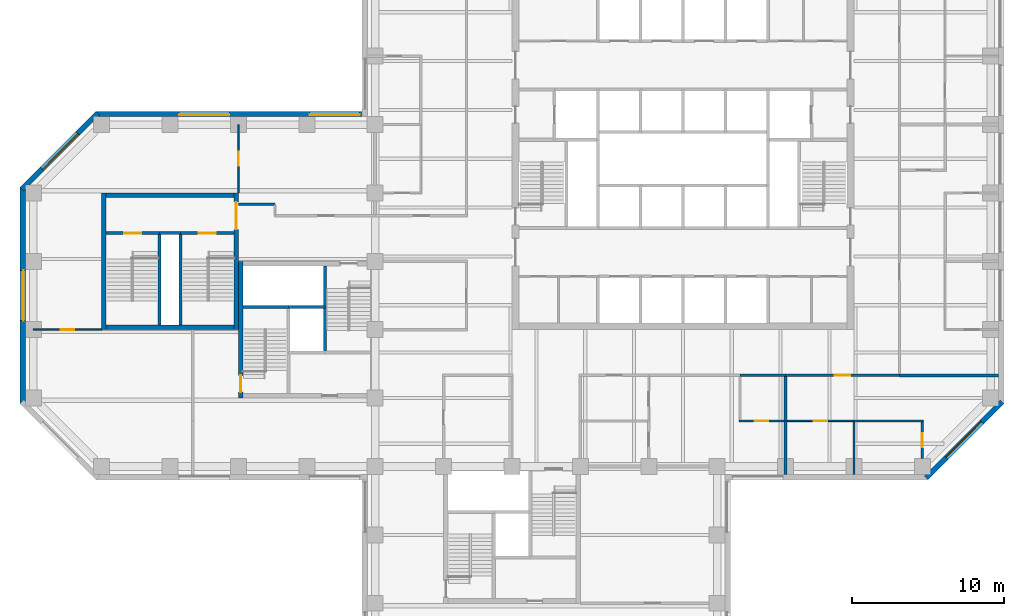
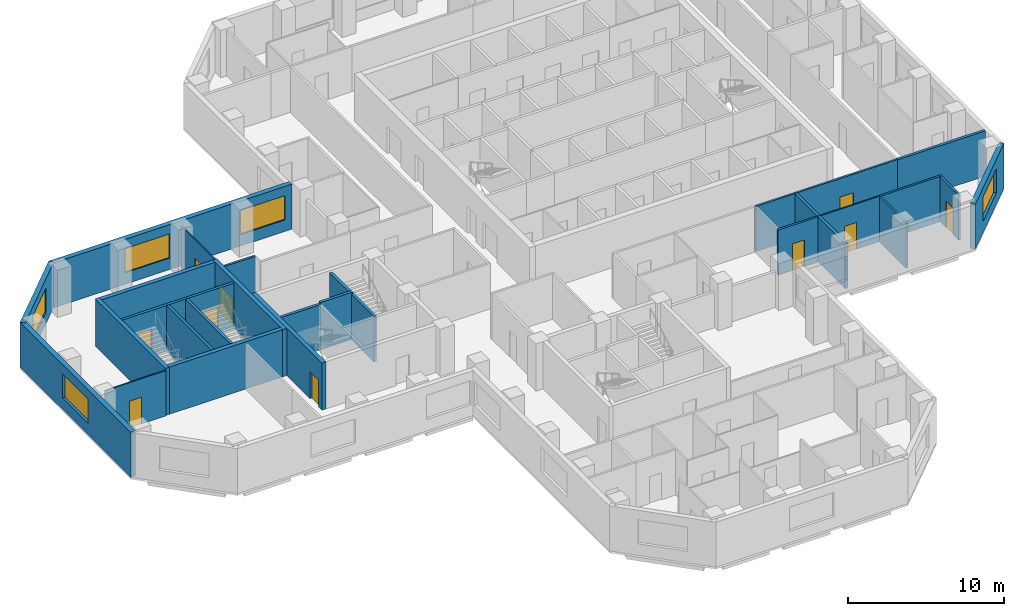
# One storey, part 5 of 11: 30 walls, 10 doors, 5 windows, 15 openings.
"""IFC4 building model written with IfcOpenShell, lengths in metres."""

from ifc_helpers import new_model, si_unit, direction, frame, frame_2d, origin, place, context, subcontext, project, spatial, rectangle, extrude, material, layer, layer_set, constituent, constituent_set, type_object, element, fill, save


model = new_model("IFC4")

# Units and contexts
model_context = context("Model", 3, precision=1e-05, world=origin(), true_north=direction((0.0, 1.0)))
body_context = subcontext(model_context, "Body", "Model", "MODEL_VIEW")
ifc_project = project(units=[si_unit("LENGTHUNIT", "METRE"), si_unit("AREAUNIT", "SQUARE_METRE"), si_unit("VOLUMEUNIT", "CUBIC_METRE"), si_unit("PLANEANGLEUNIT", "RADIAN"), si_unit("MASSUNIT", "GRAM", prefix="KILO")], contexts=[model_context])

# Site, building, storey
site_placement = place(None, origin())
site = spatial("IfcSite", under=ifc_project, at=site_placement, CompositionType="ELEMENT")
building_placement = place(site_placement, origin())
building = spatial("IfcBuilding", under=site, at=building_placement, Name="Quoin Convention Tower", CompositionType="ELEMENT")
storey_placement = place(building_placement, frame((0.0, 0.0, 130.699951171875)))
storey = spatial("IfcBuildingStorey", under=building, at=storey_placement, Name="L34", CompositionType="ELEMENT", Elevation=130.699951171875)

# Walls
ifc_material_1 = material(Name="Plasterboard")
ifc_layer_1 = layer(ifc_material_1, 0.012451171875, Name="Finish")
ifc_material_2 = material(Name="Steel stud framing", Category="steel")
ifc_layer_2 = layer(ifc_material_2, 0.125, Name="Structure")
ifc_layer_3 = layer(ifc_material_1, 0.012451171875, Name="Finish")
ifc_layer_set_1 = layer_set([ifc_layer_1, ifc_layer_2, ifc_layer_3], Name="Steel stud framing")
wall_type_1 = type_object("IfcWallType", Name="Acoustic partition 150", PredefinedType="PARTITIONING", material=ifc_layer_set_1)
wall_1_placement = place(storey_placement, frame((67.5, 43.5, 0.0), z_axis=(0.0, 0.0, 1.0), x_axis=(1.0, 0.0, 0.0)))
element("IfcWall", 1, at=wall_1_placement, inside=storey, type_object=wall_type_1, Name="pw-L34-022", PredefinedType="PARTITIONING", context=body_context, shape_type="SweptSolid", body=[
    extrude(rectangle(XDim=4.574951171875, YDim=0.14990234375, at=frame_2d((2.28759765625, 0.0))), origin(), (0.0, 0.0, 1.0), 3.550048828125),
])
wall_2_placement = place(storey_placement, frame((67.5, 39.97509765625, 0.0), z_axis=(0.0, 0.0, 1.0), x_axis=(0.0, 1.0, 0.0)))
element("IfcWall", 2, at=wall_2_placement, inside=storey, type_object=wall_type_1, Name="pw-L34-072", PredefinedType="PARTITIONING", context=body_context, shape_type="SweptSolid", body=[
    extrude(rectangle(XDim=3.449951171875, YDim=0.14990234375, at=frame_2d((1.72509765625, 0.0))), origin(), (0.0, 0.0, 1.0), 3.550048828125),
])

# Wall, opening, door
wall_3_placement = place(storey_placement, frame((72.0, 41.02490234375, 0.0), z_axis=(0.0, 0.0, 1.0), x_axis=(0.0, 1.0, 0.0)))
wall_3 = element("IfcWall", 3, at=wall_3_placement, inside=storey, type_object=wall_type_1, Name="pw-L34-077", PredefinedType="PARTITIONING", context=body_context, shape_type="SweptSolid", body=[
    extrude(rectangle(XDim=2.400146484375, YDim=0.14990234375, at=frame_2d((1.2001953125, 0.0))), origin(), (0.0, 0.0, 1.0), 3.550048828125),
])
opening_1_placement = place(wall_3_placement, frame((0.75, 0.0, 0.0)))
opening_1 = element("IfcOpeningElement", 4, at=opening_1_placement, cuts=wall_3, Name="Opening DOL7-29", PredefinedType="OPENING", context=body_context, shape_type="SweptSolid", body=[
    extrude(rectangle(XDim=0.89990234375, YDim=2.10009765625, at=frame_2d((0.449951171875, 1.050048828125))), frame((0.0, 0.0849609375, 0.0), z_axis=(0.0, -1.0, 0.0), x_axis=(1.0, 0.0, 0.0)), (0.0, 0.0, 1.0), 0.169921875),
])
ifc_material_3 = material(Name="Steel door leaf", Category="steel")
door_type_1 = type_object("IfcDoorType", Name="Office door 900 x 2100", OperationType="SINGLE_SWING_RIGHT", PredefinedType="DOOR", material=ifc_material_3)
door_1_placement = place(opening_1_placement, frame((0.89990234375, 0.0, 0.0), z_axis=(0.0, 0.0, 1.0), x_axis=(-1.0, 0.0, 0.0)))
door_1 = element("IfcDoor", 5, at=door_1_placement, inside=storey, type_object=door_type_1, Name="dr-L34-24", OperationType="SINGLE_SWING_LEFT", OverallHeight=2.10009765625, OverallWidth=0.89990234375, PredefinedType="DOOR", context=body_context, shape_type="SweptSolid", body=[
    extrude(rectangle(XDim=0.89990234375, YDim=2.10009765625, at=frame_2d((0.449951171875, 1.050048828125))), frame((0.0, 0.02490234375, 0.0), z_axis=(0.0, -1.0, 0.0), x_axis=(1.0, 0.0, 0.0)), (0.0, 0.0, 1.0), 0.050048828125),
])
fill(opening_1, door_1)

# Wall, opening, window
ifc_material_4 = material(Name="Brick masonry", Category="masonry")
ifc_layer_4 = layer(ifc_material_4, 0.35009765625)
ifc_layer_set_2 = layer_set([ifc_layer_4], Name="Brick masonry")
wall_type_2 = type_object("IfcWallType", Name="Brick facade wall", PredefinedType="STANDARD", material=ifc_layer_set_2)
wall_4_placement = place(storey_placement, frame((72.23876953125, 39.748779296875, 0.0), z_axis=(0.0, 0.0, 1.0), x_axis=(0.707106781187, 0.707106781187, 0.0)))
wall_4 = element("IfcWall", 6, at=wall_4_placement, inside=storey, type_object=wall_type_2, Name="fw-L34-72000_40500", PredefinedType="STANDARD", context=body_context, shape_type="SweptSolid", body=[
    extrude(rectangle(XDim=7.088623046875, YDim=0.35009765625, at=frame_2d((3.54443359375, 0.0))), origin(), (0.0, 0.0, 1.0), 3.525146484375),
])
opening_2_placement = place(wall_4_placement, frame((1.894287109375, 0.0, 0.89990234375)))
opening_2 = element("IfcOpeningElement", 7, at=opening_2_placement, cuts=wall_4, Name="Opening W-02", PredefinedType="OPENING", context=body_context, shape_type="SweptSolid", body=[
    extrude(rectangle(XDim=3.300048828125, YDim=1.89990234375, at=frame_2d((1.64990234375, 0.949951171875))), frame((0.0, 0.18505859375, 0.0), z_axis=(0.0, -1.0, 0.0), x_axis=(1.0, 0.0, 0.0)), (0.0, 0.0, 1.0), 0.3701171875),
])
ifc_material_5 = material(Name="Aluminium", Category="aluminium")
ifc_constituent_1 = constituent(ifc_material_5, Name="Frame")
ifc_material_6 = material(Name="Insulated glass", Category="glass")
ifc_constituent_2 = constituent(ifc_material_6, Name="Glazing")
ifc_constituent_set = constituent_set(constituents=[ifc_constituent_1, ifc_constituent_2], Name="Aluminium")
window_type = type_object("IfcWindowType", Name="Office window", PartitioningType="DOUBLE_PANEL_VERTICAL", PredefinedType="WINDOW", material=ifc_constituent_set)
window_1_placement = place(opening_2_placement, origin())
window_1 = element("IfcWindow", 8, at=window_1_placement, inside=storey, type_object=window_type, Name="win-L34-74745_42255", OverallHeight=1.89990234375, OverallWidth=3.300048828125, PartitioningType="SINGLE_PANEL", PredefinedType="WINDOW", context=body_context, shape_type="SweptSolid", body=[
    extrude(rectangle(XDim=3.300048828125, YDim=1.89990234375, at=frame_2d((1.64990234375, 0.949951171875))), frame((0.0, 0.0849609375, 0.0), z_axis=(0.0, -1.0, 0.0), x_axis=(1.0, 0.0, 0.0)), (0.0, 0.0, 1.0), 0.06005859375),
])
fill(opening_2, window_1)

# Wall, openings, windows
wall_5_placement = place(storey_placement, frame((35.47509765625, 63.699951171875, 0.0), z_axis=(0.0, 0.0, 1.0), x_axis=(-1.0, 0.0, 0.0)))
wall_5 = element("IfcWall", 9, at=wall_5_placement, inside=storey, type_object=wall_type_2, Name="fw-L34-36000_63000", PredefinedType="STANDARD", context=body_context, shape_type="SweptSolid", body=[
    extrude(rectangle(XDim=17.83740234375, YDim=0.35009765625, at=frame_2d((8.918701171875, 0.0))), origin(), (0.0, 0.0, 1.0), 3.525146484375),
])
opening_3_placement = place(wall_5_placement, frame((0.5, 0.0, 0.89990234375)))
opening_3 = element("IfcOpeningElement", 10, at=opening_3_placement, cuts=wall_5, Name="Opening W-02", PredefinedType="OPENING", context=body_context, shape_type="SweptSolid", body=[
    extrude(rectangle(XDim=3.300048828125, YDim=1.89990234375, at=frame_2d((1.64990234375, 0.949951171875))), frame((0.0, 0.18505859375, 0.0), z_axis=(0.0, -1.0, 0.0), x_axis=(1.0, 0.0, 0.0)), (0.0, 0.0, 1.0), 0.3701171875),
])
opening_4_placement = place(wall_5_placement, frame((9.074951171875, 0.0, 0.89990234375)))
opening_4 = element("IfcOpeningElement", 11, at=opening_4_placement, cuts=wall_5, Name="Opening W-02", PredefinedType="OPENING", context=body_context, shape_type="SweptSolid", body=[
    extrude(rectangle(XDim=3.300048828125, YDim=1.89990234375, at=frame_2d((1.64990234375, 0.949951171875))), frame((0.0, 0.18505859375, 0.0), z_axis=(0.0, -1.0, 0.0), x_axis=(1.0, 0.0, 0.0)), (0.0, 0.0, 1.0), 0.3701171875),
])
window_2_placement = place(opening_3_placement, origin())
window_2 = element("IfcWindow", 12, at=window_2_placement, inside=storey, type_object=window_type, Name="win-L34-33750_63700", OverallHeight=1.89990234375, OverallWidth=3.300048828125, PartitioningType="SINGLE_PANEL", PredefinedType="WINDOW", context=body_context, shape_type="SweptSolid", body=[
    extrude(rectangle(XDim=3.300048828125, YDim=1.89990234375, at=frame_2d((1.64990234375, 0.949951171875))), frame((0.0, 0.0849609375, 0.0), z_axis=(0.0, -1.0, 0.0), x_axis=(1.0, 0.0, 0.0)), (0.0, 0.0, 1.0), 0.06005859375),
])
fill(opening_3, window_2)
window_3_placement = place(opening_4_placement, origin())
window_3 = element("IfcWindow", 13, at=window_3_placement, inside=storey, type_object=window_type, Name="win-L34-24750_63700", OverallHeight=1.89990234375, OverallWidth=3.300048828125, PartitioningType="SINGLE_PANEL", PredefinedType="WINDOW", context=body_context, shape_type="SweptSolid", body=[
    extrude(rectangle(XDim=3.300048828125, YDim=1.89990234375, at=frame_2d((1.64990234375, 0.949951171875))), frame((0.0, 0.0849609375, 0.0), z_axis=(0.0, -1.0, 0.0), x_axis=(1.0, 0.0, 0.0)), (0.0, 0.0, 1.0), 0.06005859375),
])
fill(opening_4, window_3)

# Wall, opening, window
wall_6_placement = place(storey_placement, frame((17.76123046875, 63.751220703125, 0.0), z_axis=(0.0, 0.0, 1.0), x_axis=(-0.707106781187, -0.707106781187, 0.0)))
wall_6 = element("IfcWall", 14, at=wall_6_placement, inside=storey, type_object=wall_type_2, Name="fw-L34-18000_63000", PredefinedType="STANDARD", context=body_context, shape_type="SweptSolid", body=[
    extrude(rectangle(XDim=7.088623046875, YDim=0.35009765625, at=frame_2d((3.54443359375, 0.0))), origin(), (0.0, 0.0, 1.0), 3.525146484375),
])
opening_5_placement = place(wall_6_placement, frame((1.894287109375, 0.0, 0.89990234375)))
opening_5 = element("IfcOpeningElement", 15, at=opening_5_placement, cuts=wall_6, Name="Opening W-02", PredefinedType="OPENING", context=body_context, shape_type="SweptSolid", body=[
    extrude(rectangle(XDim=3.300048828125, YDim=1.89990234375, at=frame_2d((1.64990234375, 0.949951171875))), frame((0.0, 0.18505859375, 0.0), z_axis=(0.0, -1.0, 0.0), x_axis=(1.0, 0.0, 0.0)), (0.0, 0.0, 1.0), 0.3701171875),
])
window_4_placement = place(opening_5_placement, origin())
window_4 = element("IfcWindow", 16, at=window_4_placement, inside=storey, type_object=window_type, Name="win-L34-15255_61245", OverallHeight=1.89990234375, OverallWidth=3.300048828125, PartitioningType="SINGLE_PANEL", PredefinedType="WINDOW", context=body_context, shape_type="SweptSolid", body=[
    extrude(rectangle(XDim=3.300048828125, YDim=1.89990234375, at=frame_2d((1.64990234375, 0.949951171875))), frame((0.0, 0.0849609375, 0.0), z_axis=(0.0, -1.0, 0.0), x_axis=(1.0, 0.0, 0.0)), (0.0, 0.0, 1.0), 0.06005859375),
])
fill(opening_5, window_4)

wall_7_placement = place(storey_placement, frame((12.800048828125, 58.8623046875, 0.0), z_axis=(0.0, 0.0, 1.0), x_axis=(0.0, -1.0, 0.0)))
wall_7 = element("IfcWall", 17, at=wall_7_placement, inside=storey, type_object=wall_type_2, Name="fw-L34-13500_58500", PredefinedType="STANDARD", context=body_context, shape_type="SweptSolid", body=[
    extrude(rectangle(XDim=14.224609375, YDim=0.35009765625, at=frame_2d((7.1123046875, 0.0))), origin(), (0.0, 0.0, 1.0), 3.525146484375),
])
opening_6_placement = place(wall_7_placement, frame((5.46240234375, 0.0, 0.89990234375)))
opening_6 = element("IfcOpeningElement", 18, at=opening_6_placement, cuts=wall_7, Name="Opening W-02", PredefinedType="OPENING", context=body_context, shape_type="SweptSolid", body=[
    extrude(rectangle(XDim=3.300048828125, YDim=1.89990234375, at=frame_2d((1.64990234375, 0.949951171875))), frame((0.0, 0.18505859375, 0.0), z_axis=(0.0, -1.0, 0.0), x_axis=(1.0, 0.0, 0.0)), (0.0, 0.0, 1.0), 0.3701171875),
])
window_5_placement = place(opening_6_placement, origin())
window_5 = element("IfcWindow", 19, at=window_5_placement, inside=storey, type_object=window_type, Name="win-L34-12800_51750", OverallHeight=1.89990234375, OverallWidth=3.300048828125, PartitioningType="SINGLE_PANEL", PredefinedType="WINDOW", context=body_context, shape_type="SweptSolid", body=[
    extrude(rectangle(XDim=3.300048828125, YDim=1.89990234375, at=frame_2d((1.64990234375, 0.949951171875))), frame((0.0, 0.0849609375, 0.0), z_axis=(0.0, -1.0, 0.0), x_axis=(1.0, 0.0, 0.0)), (0.0, 0.0, 1.0), 0.06005859375),
])
fill(opening_6, window_5)

# Walls
ifc_material_7 = material(Name="Concrete C50", Category="concrete")
ifc_layer_5 = layer(ifc_material_7, 0.199951171875)
ifc_layer_set_3 = layer_set([ifc_layer_5], Name="Concrete C50")
wall_type_3 = type_object("IfcWallType", Name="Core shaft wall", PredefinedType="SOLIDWALL", material=ifc_layer_set_3)
wall_8_placement = place(storey_placement, frame((27.300048828125, 51.0, 0.0), z_axis=(0.0, 0.0, 1.0), x_axis=(1.0, 0.0, 0.0)))
element("IfcWall", 20, at=wall_8_placement, inside=storey, type_object=wall_type_3, Name="cr-P2-L34-h6000_300", PredefinedType="SOLIDWALL", context=body_context, shape_type="SweptSolid", body=[
    extrude(rectangle(XDim=3.0, YDim=0.199951171875, at=frame_2d((1.5, 0.0))), origin(), (0.0, 0.0, 1.0), 3.550048828125),
])
wall_9_placement = place(storey_placement, frame((32.699951171875, 48.0, 0.0), z_axis=(0.0, 0.0, 1.0), x_axis=(0.0, 1.0, 0.0)))
element("IfcWall", 21, at=wall_9_placement, inside=storey, type_object=wall_type_3, Name="cr-P2-L34-v5700_3000", PredefinedType="SOLIDWALL", context=body_context, shape_type="SweptSolid", body=[
    extrude(rectangle(XDim=5.699951171875, YDim=0.199951171875, at=frame_2d((2.85009765625, 0.0))), origin(), (0.0, 0.0, 1.0), 3.550048828125),
])
wall_10_placement = place(storey_placement, frame((21.800048828125, 55.85009765625, 0.0), z_axis=(0.0, 0.0, 1.0), x_axis=(1.0, 0.0, 0.0)))
element("IfcWall", 22, at=wall_10_placement, inside=storey, type_object=wall_type_3, Name="cr-P6-L34-h6350_3800", PredefinedType="SOLIDWALL", context=body_context, shape_type="SweptSolid", body=[
    extrude(rectangle(XDim=1.39990234375, YDim=0.199951171875, at=frame_2d((0.699951171875, 0.0))), origin(), (0.0, 0.0, 1.0), 3.550048828125),
])

# Wall, opening, door
wall_11_placement = place(storey_placement, frame((18.300048828125, 55.85009765625, 0.0), z_axis=(0.0, 0.0, 1.0), x_axis=(1.0, 0.0, 0.0)))
wall_11 = element("IfcWall", 23, at=wall_11_placement, inside=storey, type_object=wall_type_3, Name="cr-P6-L34-h6350_300", PredefinedType="SOLIDWALL", context=body_context, shape_type="SweptSolid", body=[
    extrude(rectangle(XDim=3.5, YDim=0.199951171875, at=frame_2d((1.75, 0.0))), origin(), (0.0, 0.0, 1.0), 3.550048828125),
])
opening_7_placement = place(wall_11_placement, frame((1.199951171875, 0.0, 0.0)))
opening_7 = element("IfcOpeningElement", 24, at=opening_7_placement, cuts=wall_11, Name="Opening SD11", PredefinedType="OPENING", context=body_context, shape_type="SweptSolid", body=[
    extrude(rectangle(XDim=1.10009765625, YDim=2.10009765625, at=frame_2d((0.550048828125, 1.050048828125))), frame((0.0, 0.10986328125, 0.0), z_axis=(0.0, -1.0, 0.0), x_axis=(1.0, 0.0, 0.0)), (0.0, 0.0, 1.0), 0.219970703125),
])
door_type_2 = type_object("IfcDoorType", Name="Stair door 1100 x 2100", OperationType="SINGLE_SWING_RIGHT", PredefinedType="DOOR", material=ifc_material_3)
door_2_placement = place(opening_7_placement, origin())
door_2 = element("IfcDoor", 25, at=door_2_placement, inside=storey, type_object=door_type_2, Name="cd-P6-L34-SA-R2-SD11", OperationType="SINGLE_SWING_RIGHT", OverallHeight=2.10009765625, OverallWidth=1.10009765625, PredefinedType="DOOR", context=body_context, shape_type="SweptSolid", body=[
    extrude(rectangle(XDim=1.10009765625, YDim=2.10009765625, at=frame_2d((0.550048828125, 1.050048828125))), frame((0.0, 0.02490234375, 0.0), z_axis=(0.0, -1.0, 0.0), x_axis=(1.0, 0.0, 0.0)), (0.0, 0.0, 1.0), 0.050048828125),
])
fill(opening_7, door_2)

wall_12_placement = place(storey_placement, frame((23.199951171875, 55.85009765625, 0.0), z_axis=(0.0, 0.0, 1.0), x_axis=(1.0, 0.0, 0.0)))
wall_12 = element("IfcWall", 26, at=wall_12_placement, inside=storey, type_object=wall_type_3, Name="cr-P6-L34-h6350_5200", PredefinedType="SOLIDWALL", context=body_context, shape_type="SweptSolid", body=[
    extrude(rectangle(XDim=3.5, YDim=0.199951171875, at=frame_2d((1.75, 0.0))), origin(), (0.0, 0.0, 1.0), 3.550048828125),
])
opening_8_placement = place(wall_12_placement, frame((1.199951171875, 0.0, 0.0)))
opening_8 = element("IfcOpeningElement", 27, at=opening_8_placement, cuts=wall_12, Name="Opening SD12", PredefinedType="OPENING", context=body_context, shape_type="SweptSolid", body=[
    extrude(rectangle(XDim=1.10009765625, YDim=2.10009765625, at=frame_2d((0.550048828125, 1.050048828125))), frame((0.0, 0.10986328125, 0.0), z_axis=(0.0, -1.0, 0.0), x_axis=(1.0, 0.0, 0.0)), (0.0, 0.0, 1.0), 0.219970703125),
])
door_3_placement = place(opening_8_placement, origin())
door_3 = element("IfcDoor", 28, at=door_3_placement, inside=storey, type_object=door_type_2, Name="cd-P6-L34-SB-R2-SD12", OperationType="SINGLE_SWING_RIGHT", OverallHeight=2.10009765625, OverallWidth=1.10009765625, PredefinedType="DOOR", context=body_context, shape_type="SweptSolid", body=[
    extrude(rectangle(XDim=1.10009765625, YDim=2.10009765625, at=frame_2d((0.550048828125, 1.050048828125))), frame((0.0, 0.02490234375, 0.0), z_axis=(0.0, -1.0, 0.0), x_axis=(1.0, 0.0, 0.0)), (0.0, 0.0, 1.0), 0.050048828125),
])
fill(opening_8, door_3)

# Walls
for number, where, z_axis, x_axis, name in (
    (29, (21.800048828125, 49.800048828125, 0.0), (0.0, 0.0, 1.0), (0.0, 1.0, 0.0), "cr-P6-L34-v3800_300"),
    (30, (23.199951171875, 49.800048828125, 0.0), (0.0, 0.0, 1.0), (0.0, 1.0, 0.0), "cr-P6-L34-v5200_300"),
):
    element("IfcWall", number, at=place(storey_placement, frame(where, z_axis=z_axis, x_axis=x_axis)), inside=storey, type_object=wall_type_3, Name=name, PredefinedType="SOLIDWALL", context=body_context, shape_type="SweptSolid", body=[
        extrude(rectangle(XDim=6.050048828125, YDim=0.199951171875, at=frame_2d((3.02490234375, 0.0))), origin(), (0.0, 0.0, 1.0), 3.550048828125),
    ])
ifc_layer_6 = layer(ifc_material_7, 0.199951171875)
ifc_layer_set_4 = layer_set([ifc_layer_6], Name="Concrete C50")
wall_type_4 = type_object("IfcWallType", Name="Core shaft wall to the floor level over", PredefinedType="SOLIDWALL", material=ifc_layer_set_4)
wall_13_placement = place(storey_placement, frame((30.300048828125, 51.0, 0.0), z_axis=(0.0, 0.0, 1.0), x_axis=(1.0, 0.0, 0.0)))
element("IfcWall", 31, at=wall_13_placement, inside=storey, type_object=wall_type_4, Name="cr-P2-L34-h6000_3300", PredefinedType="SOLIDWALL", context=body_context, shape_type="SweptSolid", body=[
    extrude(rectangle(XDim=2.39990234375, YDim=0.199951171875, at=frame_2d((1.199951171875, 0.0))), origin(), (0.0, 0.0, 1.0), 3.699951171875),
])
ifc_layer_7 = layer(ifc_material_1, 0.012451171875, Name="Finish")
ifc_layer_8 = layer(ifc_material_2, 0.125, Name="Structure")
ifc_layer_9 = layer(ifc_material_1, 0.012451171875, Name="Finish")
ifc_layer_set_5 = layer_set([ifc_layer_7, ifc_layer_8, ifc_layer_9], Name="Steel stud framing")
wall_type_5 = type_object("IfcWallType", Name="Corridor wall 150", PredefinedType="PARTITIONING", material=ifc_layer_set_5)
wall_14_placement = place(storey_placement, frame((60.0, 46.5, 0.0), z_axis=(0.0, 0.0, 1.0), x_axis=(1.0, 0.0, 0.0)))
element("IfcWall", 32, at=wall_14_placement, inside=storey, type_object=wall_type_5, Name="pw-L34-026", PredefinedType="PARTITIONING", context=body_context, shape_type="SweptSolid", body=[
    extrude(rectangle(XDim=3.0, YDim=0.14990234375, at=frame_2d((1.5, 0.0))), origin(), (0.0, 0.0, 1.0), 3.550048828125),
])

# Wall, opening, door
wall_15_placement = place(storey_placement, frame((63.0, 46.5, 0.0), z_axis=(0.0, 0.0, 1.0), x_axis=(1.0, 0.0, 0.0)))
wall_15 = element("IfcWall", 33, at=wall_15_placement, inside=storey, type_object=wall_type_5, Name="pw-L34-027", PredefinedType="PARTITIONING", context=body_context, shape_type="SweptSolid", body=[
    extrude(rectangle(XDim=7.5, YDim=0.14990234375, at=frame_2d((3.75, 0.0))), origin(), (0.0, 0.0, 1.0), 3.550048828125),
])
opening_9_placement = place(wall_15_placement, frame((3.25, 0.0, 0.0)))
opening_9 = element("IfcOpeningElement", 34, at=opening_9_placement, cuts=wall_15, Name="Opening DOL7-12", PredefinedType="OPENING", context=body_context, shape_type="SweptSolid", body=[
    extrude(rectangle(XDim=1.0, YDim=2.10009765625, at=frame_2d((0.5, 1.050048828125))), frame((0.0, 0.0849609375, 0.0), z_axis=(0.0, -1.0, 0.0), x_axis=(1.0, 0.0, 0.0)), (0.0, 0.0, 1.0), 0.169921875),
])
door_type_3 = type_object("IfcDoorType", Name="Tenancy entrance door 1000 x 2100", OperationType="DOUBLE_DOOR_SINGLE_SWING", PredefinedType="DOOR", material=ifc_material_3)
door_4_placement = place(opening_9_placement, frame((1.0, 0.0, 0.0), z_axis=(0.0, 0.0, 1.0), x_axis=(-1.0, 0.0, 0.0)))
door_4 = element("IfcDoor", 35, at=door_4_placement, inside=storey, type_object=door_type_3, Name="dr-L34-22", OperationType="DOUBLE_DOOR_SINGLE_SWING", OverallHeight=2.10009765625, OverallWidth=1.0, PredefinedType="DOOR", context=body_context, shape_type="SweptSolid", body=[
    extrude(rectangle(XDim=1.0, YDim=2.10009765625, at=frame_2d((0.5, 1.050048828125))), frame((0.0, 0.02490234375, 0.0), z_axis=(0.0, -1.0, 0.0), x_axis=(1.0, 0.0, 0.0)), (0.0, 0.0, 1.0), 0.050048828125),
])
fill(opening_9, door_4)

# Wall
wall_16_placement = place(storey_placement, frame((27.0, 57.75, 0.0), z_axis=(0.0, 0.0, 1.0), x_axis=(1.0, 0.0, 0.0)))
element("IfcWall", 36, at=wall_16_placement, inside=storey, type_object=wall_type_5, Name="pw-L34-w03", PredefinedType="PARTITIONING", context=body_context, shape_type="SweptSolid", body=[
    extrude(rectangle(XDim=2.39990234375, YDim=0.14990234375, at=frame_2d((1.199951171875, 0.0))), origin(), (0.0, 0.0, 1.0), 3.550048828125),
])

# Wall, opening, door
ifc_material_8 = material(Name="Concrete C65", Category="concrete")
ifc_layer_10 = layer(ifc_material_8, 0.300048828125)
ifc_layer_set_6 = layer_set([ifc_layer_10], Name="Concrete C65")
wall_type_6 = type_object("IfcWallType", Name="RC CORE WALL 300 C65", PredefinedType="SHEAR", material=ifc_layer_set_6)
wall_17_placement = place(storey_placement, frame((27.14990234375, 45.0, 0.0), z_axis=(0.0, 0.0, 1.0), x_axis=(0.0, 1.0, 0.0)))
wall_17 = element("IfcWall", 37, at=wall_17_placement, inside=storey, type_object=wall_type_6, Name="cwl-P2-L34-W", PredefinedType="SHEAR", context=body_context, shape_type="SweptSolid", body=[
    extrude(rectangle(XDim=9.0, YDim=0.300048828125, at=frame_2d((4.5, 0.0))), origin(), (0.0, 0.0, 1.0), 3.699951171875),
])
opening_10_placement = place(wall_17_placement, frame((0.39990234375, 0.0, 0.0)))
opening_10 = element("IfcOpeningElement", 38, at=opening_10_placement, cuts=wall_17, Name="Opening SD3", PredefinedType="OPENING", context=body_context, shape_type="SweptSolid", body=[
    extrude(rectangle(XDim=1.10009765625, YDim=2.10009765625, at=frame_2d((0.550048828125, 1.050048828125))), frame((0.0, 0.159912109375, 0.0), z_axis=(0.0, -1.0, 0.0), x_axis=(1.0, 0.0, 0.0)), (0.0, 0.0, 1.0), 0.320068359375),
])
door_5_placement = place(opening_10_placement, frame((1.10009765625, 0.0, 0.0), z_axis=(0.0, 0.0, 1.0), x_axis=(-1.0, 0.0, 0.0)))
door_5 = element("IfcDoor", 39, at=door_5_placement, inside=storey, type_object=door_type_2, Name="cd-P2-L34-SA-W", OperationType="SINGLE_SWING_RIGHT", OverallHeight=2.10009765625, OverallWidth=1.10009765625, PredefinedType="DOOR", context=body_context, shape_type="SweptSolid", body=[
    extrude(rectangle(XDim=1.10009765625, YDim=2.10009765625, at=frame_2d((0.550048828125, 1.050048828125))), frame((0.0, 0.02490234375, 0.0), z_axis=(0.0, -1.0, 0.0), x_axis=(1.0, 0.0, 0.0)), (0.0, 0.0, 1.0), 0.050048828125),
])
fill(opening_10, door_5)

# Walls
for number, where, z_axis, x_axis, name in (
    (40, (18.300048828125, 49.64990234375, 0.0), (0.0, 0.0, 1.0), (1.0, 0.0, 0.0), "cwl-P6-L34-S"),
    (41, (18.300048828125, 58.35009765625, 0.0), (0.0, 0.0, 1.0), (1.0, 0.0, 0.0), "cwl-P6-L34-N"),
):
    element("IfcWall", number, at=place(storey_placement, frame(where, z_axis=z_axis, x_axis=x_axis)), inside=storey, type_object=wall_type_6, Name=name, PredefinedType="SHEAR", context=body_context, shape_type="SweptSolid", body=[
        extrude(rectangle(XDim=8.39990234375, YDim=0.300048828125, at=frame_2d((4.199951171875, 0.0))), origin(), (0.0, 0.0, 1.0), 3.699951171875),
    ])
wall_18_placement = place(storey_placement, frame((18.14990234375, 49.5, 0.0), z_axis=(0.0, 0.0, 1.0), x_axis=(0.0, 1.0, 0.0)))
element("IfcWall", 42, at=wall_18_placement, inside=storey, type_object=wall_type_6, Name="cwl-P6-L34-W", PredefinedType="SHEAR", context=body_context, shape_type="SweptSolid", body=[
    extrude(rectangle(XDim=9.0, YDim=0.300048828125, at=frame_2d((4.5, 0.0))), origin(), (0.0, 0.0, 1.0), 3.699951171875),
])

# Wall, opening, door
wall_19_placement = place(storey_placement, frame((26.85009765625, 49.5, 0.0), z_axis=(0.0, 0.0, 1.0), x_axis=(0.0, 1.0, 0.0)))
wall_19 = element("IfcWall", 43, at=wall_19_placement, inside=storey, type_object=wall_type_6, Name="cwl-P6-L34-E", PredefinedType="SHEAR", context=body_context, shape_type="SweptSolid", body=[
    extrude(rectangle(XDim=9.0, YDim=0.300048828125, at=frame_2d((4.5, 0.0))), origin(), (0.0, 0.0, 1.0), 3.699951171875),
])
opening_11_placement = place(wall_19_placement, frame((6.60009765625, 0.0, 0.0)))
opening_11 = element("IfcOpeningElement", 44, at=opening_11_placement, cuts=wall_19, Name="Opening DCV0-64", PredefinedType="OPENING", context=body_context, shape_type="SweptSolid", body=[
    extrude(rectangle(XDim=1.800048828125, YDim=2.10009765625, at=frame_2d((0.89990234375, 1.050048828125))), frame((0.0, 0.159912109375, 0.0), z_axis=(0.0, -1.0, 0.0), x_axis=(1.0, 0.0, 0.0)), (0.0, 0.0, 1.0), 0.320068359375),
])
door_type_4 = type_object("IfcDoorType", Name="Goods lobby door 1800 x 2100", OperationType="SINGLE_SWING_LEFT", PredefinedType="DOOR", material=ifc_material_3)
door_6_placement = place(opening_11_placement, origin())
door_6 = element("IfcDoor", 45, at=door_6_placement, inside=storey, type_object=door_type_4, Name="cd-P6-L34-R2-E", OperationType="SINGLE_SWING_LEFT", OverallHeight=2.10009765625, OverallWidth=1.800048828125, PredefinedType="DOOR", context=body_context, shape_type="SweptSolid", body=[
    extrude(rectangle(XDim=1.800048828125, YDim=2.10009765625, at=frame_2d((0.89990234375, 1.050048828125))), frame((0.0, 0.02490234375, 0.0), z_axis=(0.0, -1.0, 0.0), x_axis=(1.0, 0.0, 0.0)), (0.0, 0.0, 1.0), 0.050048828125),
])
fill(opening_11, door_6)

ifc_layer_11 = layer(ifc_material_1, 0.012451171875, Name="Finish")
ifc_layer_12 = layer(ifc_material_2, 0.074951171875, Name="Structure")
ifc_layer_13 = layer(ifc_material_1, 0.012451171875, Name="Finish")
ifc_layer_set_7 = layer_set([ifc_layer_11, ifc_layer_12, ifc_layer_13], Name="Steel stud framing")
wall_type_7 = type_object("IfcWallType", Name="Stud partition 100", PredefinedType="PARTITIONING", material=ifc_layer_set_7)
wall_20_placement = place(storey_placement, frame((63.10009765625, 43.5, 0.0), z_axis=(0.0, 0.0, 1.0), x_axis=(1.0, 0.0, 0.0)))
wall_20 = element("IfcWall", 46, at=wall_20_placement, inside=storey, type_object=wall_type_7, Name="pw-L34-021", PredefinedType="PARTITIONING", context=body_context, shape_type="SweptSolid", body=[
    extrude(rectangle(XDim=4.39990234375, YDim=0.10009765625, at=frame_2d((2.199951171875, 0.0))), origin(), (0.0, 0.0, 1.0), 3.550048828125),
])
opening_12_placement = place(wall_20_placement, frame((1.75, 0.0, 0.0)))
opening_12 = element("IfcOpeningElement", 47, at=opening_12_placement, cuts=wall_20, Name="Opening DOL7-10", PredefinedType="OPENING", context=body_context, shape_type="SweptSolid", body=[
    extrude(rectangle(XDim=0.89990234375, YDim=2.10009765625, at=frame_2d((0.449951171875, 1.050048828125))), frame((0.0, 0.06005859375, 0.0), z_axis=(0.0, -1.0, 0.0), x_axis=(1.0, 0.0, 0.0)), (0.0, 0.0, 1.0), 0.1201171875),
])
door_7_placement = place(opening_12_placement, origin())
door_7 = element("IfcDoor", 48, at=door_7_placement, inside=storey, type_object=door_type_1, Name="dr-L34-23", OperationType="SINGLE_SWING_RIGHT", OverallHeight=2.10009765625, OverallWidth=0.89990234375, PredefinedType="DOOR", context=body_context, shape_type="SweptSolid", body=[
    extrude(rectangle(XDim=0.89990234375, YDim=2.10009765625, at=frame_2d((0.449951171875, 1.050048828125))), frame((0.0, 0.02490234375, 0.0), z_axis=(0.0, -1.0, 0.0), x_axis=(1.0, 0.0, 0.0)), (0.0, 0.0, 1.0), 0.050048828125),
])
fill(opening_12, door_7)

wall_21_placement = place(storey_placement, frame((27.0, 63.0, 0.0), z_axis=(0.0, 0.0, 1.0), x_axis=(0.0, -1.0, 0.0)))
wall_21 = element("IfcWall", 49, at=wall_21_placement, inside=storey, type_object=wall_type_7, Name="pw-L34-w01", PredefinedType="PARTITIONING", context=body_context, shape_type="SweptSolid", body=[
    extrude(rectangle(XDim=4.5, YDim=0.10009765625, at=frame_2d((2.25, 0.0))), origin(), (0.0, 0.0, 1.0), 3.550048828125),
])
opening_13_placement = place(wall_21_placement, frame((1.800048828125, 0.0, 0.0)))
opening_13 = element("IfcOpeningElement", 50, at=opening_13_placement, cuts=wall_21, Name="Opening DOL7-37", PredefinedType="OPENING", context=body_context, shape_type="SweptSolid", body=[
    extrude(rectangle(XDim=0.89990234375, YDim=2.10009765625, at=frame_2d((0.449951171875, 1.050048828125))), frame((0.0, 0.06005859375, 0.0), z_axis=(0.0, -1.0, 0.0), x_axis=(1.0, 0.0, 0.0)), (0.0, 0.0, 1.0), 0.1201171875),
])
door_8_placement = place(opening_13_placement, frame((0.89990234375, 0.0, 0.0), z_axis=(0.0, 0.0, 1.0), x_axis=(-1.0, 0.0, 0.0)))
door_8 = element("IfcDoor", 51, at=door_8_placement, inside=storey, type_object=door_type_1, Name="dr-L34-w02", OperationType="SINGLE_SWING_RIGHT", OverallHeight=2.10009765625, OverallWidth=0.89990234375, PredefinedType="DOOR", context=body_context, shape_type="SweptSolid", body=[
    extrude(rectangle(XDim=0.89990234375, YDim=2.10009765625, at=frame_2d((0.449951171875, 1.050048828125))), frame((0.0, 0.02490234375, 0.0), z_axis=(0.0, -1.0, 0.0), x_axis=(1.0, 0.0, 0.0)), (0.0, 0.0, 1.0), 0.050048828125),
])
fill(opening_13, door_8)

wall_22_placement = place(storey_placement, frame((13.5, 49.5, 0.0), z_axis=(0.0, 0.0, 1.0), x_axis=(1.0, 0.0, 0.0)))
wall_22 = element("IfcWall", 52, at=wall_22_placement, inside=storey, type_object=wall_type_7, Name="pw-L34-w02", PredefinedType="PARTITIONING", context=body_context, shape_type="SweptSolid", body=[
    extrude(rectangle(XDim=4.5, YDim=0.10009765625, at=frame_2d((2.25, 0.0))), origin(), (0.0, 0.0, 1.0), 3.550048828125),
])
opening_14_placement = place(wall_22_placement, frame((1.800048828125, 0.0, 0.0)))
opening_14 = element("IfcOpeningElement", 53, at=opening_14_placement, cuts=wall_22, Name="Opening DOL7-38", PredefinedType="OPENING", context=body_context, shape_type="SweptSolid", body=[
    extrude(rectangle(XDim=0.89990234375, YDim=2.10009765625, at=frame_2d((0.449951171875, 1.050048828125))), frame((0.0, 0.06005859375, 0.0), z_axis=(0.0, -1.0, 0.0), x_axis=(1.0, 0.0, 0.0)), (0.0, 0.0, 1.0), 0.1201171875),
])
door_9_placement = place(opening_14_placement, origin())
door_9 = element("IfcDoor", 54, at=door_9_placement, inside=storey, type_object=door_type_1, Name="dr-L34-w03", OperationType="SINGLE_SWING_RIGHT", OverallHeight=2.10009765625, OverallWidth=0.89990234375, PredefinedType="DOOR", context=body_context, shape_type="SweptSolid", body=[
    extrude(rectangle(XDim=0.89990234375, YDim=2.10009765625, at=frame_2d((0.449951171875, 1.050048828125))), frame((0.0, 0.02490234375, 0.0), z_axis=(0.0, -1.0, 0.0), x_axis=(1.0, 0.0, 0.0)), (0.0, 0.0, 1.0), 0.050048828125),
])
fill(opening_14, door_9)

# Walls
ifc_layer_14 = layer(ifc_material_1, 0.012451171875, Name="Finish")
ifc_layer_15 = layer(ifc_material_2, 0.175048828125, Name="Structure")
ifc_layer_16 = layer(ifc_material_1, 0.012451171875, Name="Finish")
ifc_layer_set_8 = layer_set([ifc_layer_14, ifc_layer_15, ifc_layer_16], Name="Steel stud framing")
wall_type_8 = type_object("IfcWallType", Name="Tenancy demising wall 200", PredefinedType="PARTITIONING", material=ifc_layer_set_8)
wall_23_placement = place(storey_placement, frame((70.5, 46.5, 0.0), z_axis=(0.0, 0.0, 1.0), x_axis=(1.0, 0.0, 0.0)))
element("IfcWall", 55, at=wall_23_placement, inside=storey, type_object=wall_type_8, Name="pw-L34-028", PredefinedType="PARTITIONING", context=body_context, shape_type="SweptSolid", body=[
    extrude(rectangle(XDim=6.52490234375, YDim=0.199951171875, at=frame_2d((3.262451171875, 0.0))), origin(), (0.0, 0.0, 1.0), 3.550048828125),
])
wall_24_placement = place(storey_placement, frame((63.0, 39.97509765625, 0.0), z_axis=(0.0, 0.0, 1.0), x_axis=(0.0, 1.0, 0.0)))
element("IfcWall", 56, at=wall_24_placement, inside=storey, type_object=wall_type_8, Name="pw-L34-071", PredefinedType="PARTITIONING", context=body_context, shape_type="SweptSolid", body=[
    extrude(rectangle(XDim=3.52490234375, YDim=0.199951171875, at=frame_2d((1.762451171875, 0.0))), origin(), (0.0, 0.0, 1.0), 3.550048828125),
])
wall_25_placement = place(storey_placement, frame((63.0, 43.5, 0.0), z_axis=(0.0, 0.0, 1.0), x_axis=(0.0, 1.0, 0.0)))
element("IfcWall", 57, at=wall_25_placement, inside=storey, type_object=wall_type_8, Name="pw-L34-081", PredefinedType="PARTITIONING", context=body_context, shape_type="SweptSolid", body=[
    extrude(rectangle(XDim=2.925048828125, YDim=0.199951171875, at=frame_2d((1.46240234375, 0.0))), origin(), (0.0, 0.0, 1.0), 3.550048828125),
])

# Wall, opening, door
ifc_layer_17 = layer(ifc_material_1, 0.012451171875, Name="Finish")
ifc_layer_18 = layer(ifc_material_2, 0.125, Name="Structure")
ifc_layer_19 = layer(ifc_material_1, 0.012451171875, Name="Finish")
ifc_layer_set_9 = layer_set([ifc_layer_17, ifc_layer_18, ifc_layer_19], Name="Steel stud framing")
wall_type_9 = type_object("IfcWallType", Name="Wet area partition 150", PredefinedType="PARTITIONING", material=ifc_layer_set_9)
wall_26_placement = place(storey_placement, frame((59.925048828125, 43.5, 0.0), z_axis=(0.0, 0.0, 1.0), x_axis=(1.0, 0.0, 0.0)))
wall_26 = element("IfcWall", 58, at=wall_26_placement, inside=storey, type_object=wall_type_9, Name="pw-L34-020", PredefinedType="PARTITIONING", context=body_context, shape_type="SweptSolid", body=[
    extrude(rectangle(XDim=2.974853515625, YDim=0.14990234375, at=frame_2d((1.4873046875, 0.0))), origin(), (0.0, 0.0, 1.0), 3.550048828125),
])
opening_15_placement = place(wall_26_placement, frame((1.050048828125, 0.0, 0.0)))
opening_15 = element("IfcOpeningElement", 59, at=opening_15_placement, cuts=wall_26, Name="Opening DOL7-09", PredefinedType="OPENING", context=body_context, shape_type="SweptSolid", body=[
    extrude(rectangle(XDim=0.89990234375, YDim=2.10009765625, at=frame_2d((0.449951171875, 1.050048828125))), frame((0.0, 0.0849609375, 0.0), z_axis=(0.0, -1.0, 0.0), x_axis=(1.0, 0.0, 0.0)), (0.0, 0.0, 1.0), 0.169921875),
])
door_10_placement = place(opening_15_placement, frame((0.89990234375, 0.0, 0.0), z_axis=(0.0, 0.0, 1.0), x_axis=(-1.0, 0.0, 0.0)))
door_10 = element("IfcDoor", 60, at=door_10_placement, inside=storey, type_object=door_type_1, Name="dr-L34-20", OperationType="SINGLE_SWING_LEFT", OverallHeight=2.10009765625, OverallWidth=0.89990234375, PredefinedType="DOOR", context=body_context, shape_type="SweptSolid", body=[
    extrude(rectangle(XDim=0.89990234375, YDim=2.10009765625, at=frame_2d((0.449951171875, 1.050048828125))), frame((0.0, 0.02490234375, 0.0), z_axis=(0.0, -1.0, 0.0), x_axis=(1.0, 0.0, 0.0)), (0.0, 0.0, 1.0), 0.050048828125),
])
fill(opening_15, door_10)

save(model, "model.ifc")
